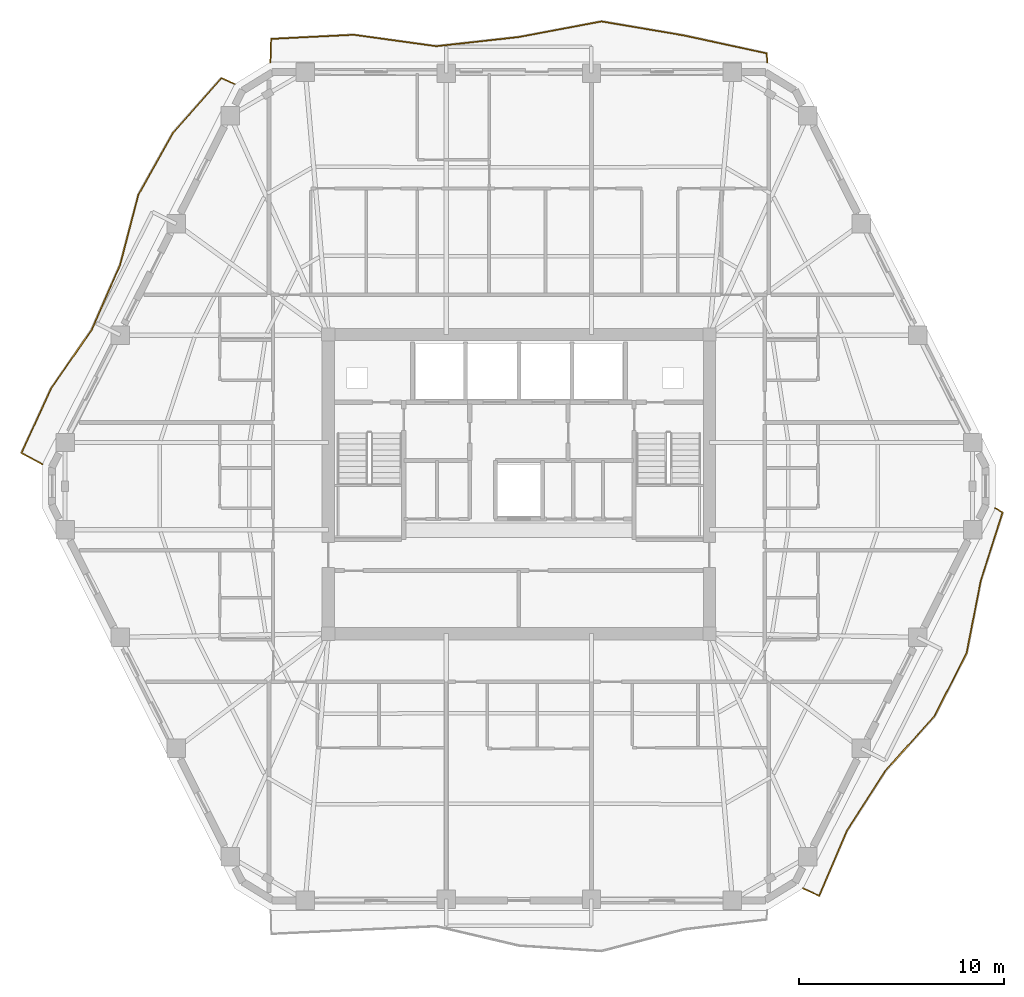
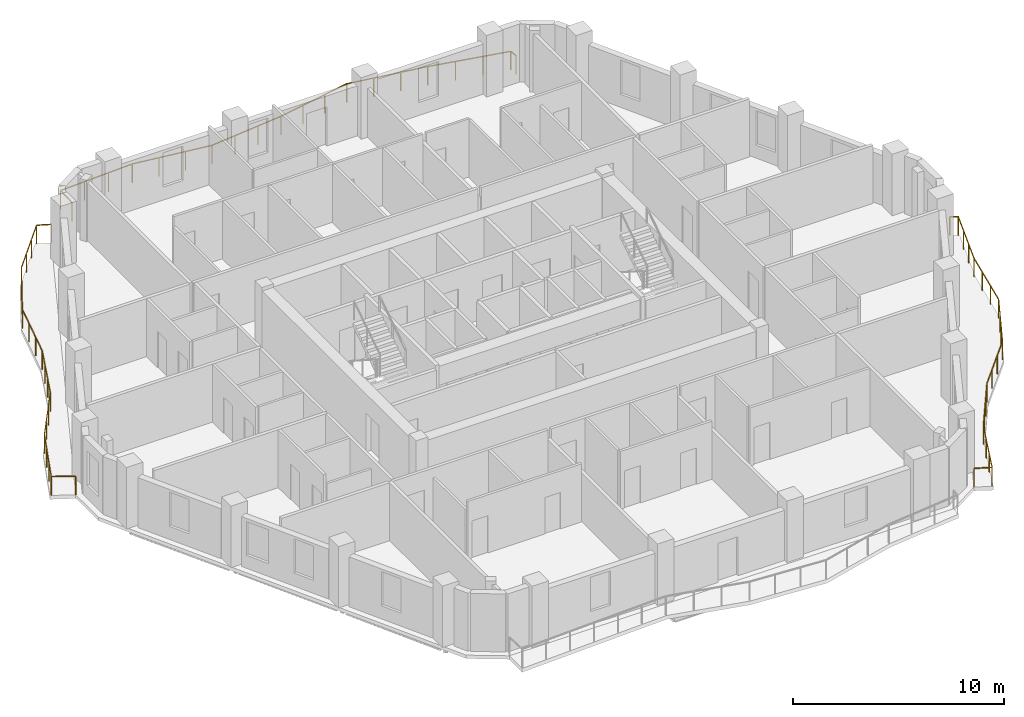
# One storey, part 10 of 10: 3 railings.
"""IFC4 building model written with IfcOpenShell, lengths in metres."""

import ifcopenshell
import ifcopenshell.guid

model = None  # the IFC model being written
_history = None  # IfcOwnerHistory: only IFC2X3 demands one
_inside = {}  # id of a spatial element -> (the spatial element, [elements in it])
_under = {}  # id of a project, library or spatial element -> (it, [spatial elements below it])
_declared = {}  # id of a project -> (the project, [libraries it declares])
_typed = {}  # id of a type object -> (the type object, [elements of that type])
_made_of = {}  # id of a material, layer set ... -> (it, [elements and type objects made of it])


def new_model(schema):
    """Start an empty IFC model of exactly this schema.

    Asked for "IFC4X3", IfcOpenShell would pick the latest addendum, in which some entities
    have other attributes; the version numbers below select the first issue.
    IFC2X3 requires an IfcOwnerHistory on every rooted entity: one is made here for all.
    """
    global model, _history
    if schema == "IFC4X3":
        model = ifcopenshell.file(schema_version=(4, 3, 0, 0))
    else:
        model = ifcopenshell.file(schema=schema)
    _inside.clear()
    _under.clear()
    _declared.clear()
    _typed.clear()
    _made_of.clear()
    _history = None
    if model.schema == "IFC2X3":
        org = make("IfcOrganization", Name="unknown")
        user = make(
            "IfcPersonAndOrganization",
            ThePerson=make("IfcPerson", FamilyName="unknown"),
            TheOrganization=org,
        )
        app = make(
            "IfcApplication",
            ApplicationDeveloper=org,
            Version="unknown",
            ApplicationFullName="unknown",
            ApplicationIdentifier="unknown",
        )
        _history = make(
            "IfcOwnerHistory",
            OwningUser=user,
            OwningApplication=app,
            ChangeAction="ADDED",
            CreationDate=0,
        )
    return model


def make(cls, **values):
    """One entity of the class cls with the attributes given. An attribute that is None is left unset."""
    return model.create_entity(
        cls, **{name: value for name, value in values.items() if value is not None}
    )


def rooted(cls, **values):
    """An entity with a GlobalId (a new one), such as an element, a storey or a relation."""
    return make(cls, GlobalId=ifcopenshell.guid.new(), OwnerHistory=_history, **values)


def si_unit(unit_type, name, prefix=None):
    """IfcSIUnit, for example si_unit("LENGTHUNIT", "METRE", prefix="MILLI")."""
    return make("IfcSIUnit", UnitType=unit_type, Prefix=prefix, Name=name)


def assignment(units):
    """IfcUnitAssignment: the units of a project."""
    return None if units is None else make("IfcUnitAssignment", Units=units)


def point(xyz):
    """IfcCartesianPoint."""
    return None if xyz is None else make("IfcCartesianPoint", Coordinates=xyz)


def direction(xyz):
    """IfcDirection."""
    return None if xyz is None else make("IfcDirection", DirectionRatios=xyz)


def frame(location, z_axis=None, x_axis=None):
    """IfcAxis2Placement3D, a coordinate frame: its origin and axes. An axis left out is left unset."""
    return make(
        "IfcAxis2Placement3D",
        Location=point(location),
        Axis=direction(z_axis),
        RefDirection=direction(x_axis),
    )


def frame_2d(location, x_axis=None):
    """IfcAxis2Placement2D, a coordinate frame in the plane: its origin and x axis."""
    return make(
        "IfcAxis2Placement2D", Location=point(location), RefDirection=direction(x_axis)
    )


def origin():
    """The frame at (0, 0, 0) with its axes left unset."""
    return frame((0.0, 0.0, 0.0))


def origin_2d():
    """The frame at (0, 0) in the plane with its x axis left unset."""
    return frame_2d((0.0, 0.0))


def place(relative_to, where):
    """IfcLocalPlacement: puts the frame where relative to a parent placement (None: the world)."""
    return make(
        "IfcLocalPlacement", PlacementRelTo=relative_to, RelativePlacement=where
    )


def context(
    kind, dimensions, precision=None, world=None, true_north=None, identifier=None
):
    """IfcGeometricRepresentationContext, for example the 3D "Model" context."""
    return make(
        "IfcGeometricRepresentationContext",
        ContextIdentifier=identifier,
        ContextType=kind,
        CoordinateSpaceDimension=dimensions,
        Precision=precision,
        WorldCoordinateSystem=world,
        TrueNorth=true_north,
    )


def subcontext(parent, identifier, kind, view, scale=None):
    """IfcGeometricRepresentationSubContext, for example "Body" below "Model"."""
    return make(
        "IfcGeometricRepresentationSubContext",
        ContextIdentifier=identifier,
        ContextType=kind,
        ParentContext=parent,
        TargetScale=scale,
        TargetView=view,
    )


def project(units=None, contexts=None):
    """IfcProject with its units and contexts."""
    return rooted(
        "IfcProject",
        Name="project",
        RepresentationContexts=contexts,
        UnitsInContext=assignment(units),
    )


def spatial(cls, under=None, at=None, **own):
    """A site, building, storey or space (cls), placed at a placement, below another one or the project."""
    s = rooted(cls, ObjectPlacement=at, **own)
    if under is not None:
        _under.setdefault(under.id(), (under, []))[1].append(s)
    return s


def profile(cls, at=None, kind="AREA", **sizes):
    """A parametric profile (cls). Its sizes go by their IFC names, for example OverallWidth=200.0."""
    return make(cls, ProfileType=kind, Position=at, **sizes)


def rectangle(**sizes):
    """IfcRectangleProfileDef."""
    return profile("IfcRectangleProfileDef", **sizes)


def extrude(swept, where, along, depth):
    """IfcExtrudedAreaSolid: the profile swept, set in the frame where, extruded along a direction by depth."""
    return make(
        "IfcExtrudedAreaSolid",
        SweptArea=swept,
        Position=where,
        ExtrudedDirection=direction(along),
        Depth=depth,
    )


def shape(context_of_items, identifier, shape_type, items):
    """IfcShapeRepresentation: the items that make up one representation, for example the "Body"."""
    return make(
        "IfcShapeRepresentation",
        ContextOfItems=context_of_items,
        RepresentationIdentifier=identifier,
        RepresentationType=shape_type,
        Items=items,
    )


def material(Name=None, Category=None):
    """IfcMaterial."""
    return make("IfcMaterial", Name=Name, Category=Category)


def made_of(thing, what):
    """Note that an element or type object is made of a material, layer set ...; save() writes the relation."""
    if what is not None:
        _made_of.setdefault(what.id(), (what, []))[1].append(thing)
    return thing


def type_object(cls, material=None, **own):
    """A type object (cls), such as IfcWallType, which elements share."""
    return made_of(rooted(cls, **own), material)


def element(
    cls,
    number,
    at=None,
    inside=None,
    cuts=None,
    type_object=None,
    material=None,
    context=None,
    identifier="Body",
    shape_type=None,
    held_by="IfcProductDefinitionShape",
    body=None,
    shapes=None,
    **own,
):
    """One element of the class cls, such as IfcWall. Its Tag is "e" and its number.

    at: its placement. inside: the storey or other place that contains it. cuts: it is an
    opening in that element (IfcRelVoidsElement). A single representation is given by context,
    identifier, shape_type and body (its items); several are given by shapes. held_by: the class
    of the entity that holds the representations. save() writes the other relations.
    """
    e = rooted(cls, Tag="e%d" % number, ObjectPlacement=at, **own)
    if body is not None:
        shapes = [shape(context, identifier, shape_type, body)]
    if shapes is not None:
        e.Representation = make(held_by, Representations=shapes)
    if inside is not None:
        _inside.setdefault(inside.id(), (inside, []))[1].append(e)
    if cuts is not None:
        rooted(
            "IfcRelVoidsElement", RelatingBuildingElement=cuts, RelatedOpeningElement=e
        )
    if type_object is not None:
        _typed.setdefault(type_object.id(), (type_object, []))[1].append(e)
    return made_of(e, material)


def aggregate(whole, parts):
    """IfcRelAggregates: a whole, such as a stair, and the parts it consists of."""
    return rooted("IfcRelAggregates", RelatingObject=whole, RelatedObjects=parts)


def save(model, path):
    """Write the relations noted so far, then the file.

    IfcRelAggregates (storeys below a building ...), IfcRelContainedInSpatialStructure (elements
    in a storey), IfcRelDefinesByType, IfcRelAssociatesMaterial and IfcRelDeclares: one each for
    every whole, place, type object, material and project.
    """
    for whole, parts in _under.values():
        aggregate(whole, parts)
    for where, things in _inside.values():
        rooted(
            "IfcRelContainedInSpatialStructure",
            RelatedElements=things,
            RelatingStructure=where,
        )
    for kind, things in _typed.values():
        rooted("IfcRelDefinesByType", RelatedObjects=things, RelatingType=kind)
    for what, things in _made_of.values():
        rooted("IfcRelAssociatesMaterial", RelatedObjects=things, RelatingMaterial=what)
    for by, libraries in _declared.values():
        rooted("IfcRelDeclares", RelatingContext=by, RelatedDefinitions=libraries)
    model.write(path)


model = new_model("IFC4")

# Units and contexts
model_context = context("Model", 3, precision=1e-05, world=origin(), true_north=direction((0.0, 1.0)))
body_context = subcontext(model_context, "Body", "Model", "MODEL_VIEW")
ifc_project = project(units=[si_unit("LENGTHUNIT", "METRE"), si_unit("AREAUNIT", "SQUARE_METRE"), si_unit("VOLUMEUNIT", "CUBIC_METRE"), si_unit("PLANEANGLEUNIT", "RADIAN"), si_unit("MASSUNIT", "GRAM", prefix="KILO")], contexts=[model_context])

# Site, building, storey
site_placement = place(None, origin())
site = spatial("IfcSite", under=ifc_project, at=site_placement, CompositionType="ELEMENT")
building_placement = place(site_placement, origin())
building = spatial("IfcBuilding", under=site, at=building_placement, Name="Cinnabar Lancet Tower", CompositionType="ELEMENT")
storey_placement = place(building_placement, frame((0.0, 0.0, 203.85009765625)))
storey = spatial("IfcBuildingStorey", under=building, at=storey_placement, Name="L54", CompositionType="ELEMENT", Elevation=203.85009765625)

# Railings
ifc_material = material(Name="Laminated safety glass and bronze stainless steel balustrade", Category="steel")
railing_type = type_object("IfcRailingType", Name="ENV-RLG-BAL-1100", PredefinedType="BALUSTRADE", material=ifc_material)
railing_1_placement = place(storey_placement, frame((46.27001953125, 6.1708984375, 0.0)))
element("IfcRailing", 1, at=railing_1_placement, inside=storey, type_object=railing_type, Name="L54 Face 2 Wave Balcony Balustrade", PredefinedType="BALUSTRADE", context=body_context, shape_type="SweptSolid", body=[
    extrude(rectangle(XDim=0.048095703125, YDim=0.048095703125, at=origin_2d()), frame((0.0, 0.0, 1.076171875), z_axis=(0.9079593845, -0.419058177462, 0.0), x_axis=(0.419058177462, 0.9079593845, 0.0)), (0.0, 0.0, 1.0), 0.863525390625),
    extrude(rectangle(XDim=0.048095703125, YDim=0.048095703125, at=origin_2d()), frame((0.783935546875, -0.36181640625, 1.076171875), z_axis=(0.392890631495, 0.91958520632, 0.0), x_axis=(-0.91958520632, 0.392890631495, 0.0)), (0.0, 0.0, 1.0), 3.466796875),
    extrude(rectangle(XDim=0.048095703125, YDim=0.048095703125, at=origin_2d()), frame((2.14599609375, 2.826171875, 1.076171875), z_axis=(0.540871251462, 0.841105397285, 0.0), x_axis=(-0.841105397285, 0.540871251462, 0.0)), (0.0, 0.0, 1.0), 3.473876953125),
    extrude(rectangle(XDim=0.048095703125, YDim=0.048095703125, at=origin_2d()), frame((4.02490234375, 5.748046875, 1.076171875), z_axis=(0.668376586671, 0.743823055834, 0.0), x_axis=(-0.743823055834, 0.668376586671, 0.0)), (0.0, 0.0, 1.0), 3.578857421875),
    extrude(rectangle(XDim=0.048095703125, YDim=0.048095703125, at=origin_2d()), frame((6.4169921875, 8.41015625, 1.076171875), z_axis=(0.453223837401, 0.891396742877, 0.0), x_axis=(-0.891396742877, 0.453223837401, 0.0)), (0.0, 0.0, 1.0), 3.455078125),
    extrude(rectangle(XDim=0.048095703125, YDim=0.048095703125, at=origin_2d()), frame((7.98291015625, 11.489990234375, 1.076171875), z_axis=(0.191813784679, 0.981431338407, 0.0), x_axis=(-0.981431338407, 0.191813784679, 0.0)), (0.0, 0.0, 1.0), 3.591796875),
    extrude(rectangle(XDim=0.048095703125, YDim=0.048095703125, at=origin_2d()), frame((8.671875, 15.01513671875, 1.076171875), z_axis=(0.30425696552, 0.952589995188, 0.0), x_axis=(-0.952589995188, 0.30425696552, 0.0)), (0.0, 0.0, 1.0), 3.5009765625),
    extrude(rectangle(XDim=0.048095703125, YDim=0.048095703125, at=origin_2d()), frame((9.737060546875, 18.35009765625, 1.076171875), z_axis=(-0.859079062454, 0.511842909938, 0.0), x_axis=(-0.511842909938, -0.859079062454, 0.0)), (0.0, 0.0, 1.0), 0.406494140625),
    extrude(rectangle(XDim=0.0419921875, YDim=0.0419921875, at=origin_2d()), origin(), (0.0, 0.0, 1.0), 1.052001953125),
    extrude(rectangle(XDim=0.0419921875, YDim=0.0419921875, at=origin_2d()), frame((0.783935546875, -0.36181640625, 0.0)), (0.0, 0.0, 1.0), 1.052001953125),
    extrude(rectangle(XDim=0.0419921875, YDim=0.0419921875, at=origin_2d()), frame((1.238037109375, 0.700927734375, 0.0)), (0.0, 0.0, 1.0), 1.052001953125),
    extrude(rectangle(XDim=0.0419921875, YDim=0.0419921875, at=origin_2d()), frame((1.69189453125, 1.763427734375, 0.0)), (0.0, 0.0, 1.0), 1.052001953125),
    extrude(rectangle(XDim=0.0419921875, YDim=0.0419921875, at=origin_2d()), frame((2.14599609375, 2.826171875, 0.0)), (0.0, 0.0, 1.0), 1.052001953125),
    extrude(rectangle(XDim=0.0419921875, YDim=0.0419921875, at=origin_2d()), frame((2.772216796875, 3.800048828125, 0.0)), (0.0, 0.0, 1.0), 1.052001953125),
    extrude(rectangle(XDim=0.0419921875, YDim=0.0419921875, at=origin_2d()), frame((3.398681640625, 4.774169921875, 0.0)), (0.0, 0.0, 1.0), 1.052001953125),
    extrude(rectangle(XDim=0.0419921875, YDim=0.0419921875, at=origin_2d()), frame((4.02490234375, 5.748046875, 0.0)), (0.0, 0.0, 1.0), 1.052001953125),
    extrude(rectangle(XDim=0.0419921875, YDim=0.0419921875, at=origin_2d()), frame((4.822265625, 6.635498046875, 0.0)), (0.0, 0.0, 1.0), 1.052001953125),
    extrude(rectangle(XDim=0.0419921875, YDim=0.0419921875, at=origin_2d()), frame((5.61962890625, 7.522705078125, 0.0)), (0.0, 0.0, 1.0), 1.052001953125),
    extrude(rectangle(XDim=0.0419921875, YDim=0.0419921875, at=origin_2d()), frame((6.4169921875, 8.41015625, 0.0)), (0.0, 0.0, 1.0), 1.052001953125),
    extrude(rectangle(XDim=0.0419921875, YDim=0.0419921875, at=origin_2d()), frame((6.93896484375, 9.436767578125, 0.0)), (0.0, 0.0, 1.0), 1.052001953125),
    extrude(rectangle(XDim=0.0419921875, YDim=0.0419921875, at=origin_2d()), frame((7.4609375, 10.46337890625, 0.0)), (0.0, 0.0, 1.0), 1.052001953125),
    extrude(rectangle(XDim=0.0419921875, YDim=0.0419921875, at=origin_2d()), frame((7.98291015625, 11.489990234375, 0.0)), (0.0, 0.0, 1.0), 1.052001953125),
    extrude(rectangle(XDim=0.0419921875, YDim=0.0419921875, at=origin_2d()), frame((8.212646484375, 12.6650390625, 0.0)), (0.0, 0.0, 1.0), 1.052001953125),
    extrude(rectangle(XDim=0.0419921875, YDim=0.0419921875, at=origin_2d()), frame((8.442138671875, 13.840087890625, 0.0)), (0.0, 0.0, 1.0), 1.052001953125),
    extrude(rectangle(XDim=0.0419921875, YDim=0.0419921875, at=origin_2d()), frame((8.671875, 15.01513671875, 0.0)), (0.0, 0.0, 1.0), 1.052001953125),
    extrude(rectangle(XDim=0.0419921875, YDim=0.0419921875, at=origin_2d()), frame((9.02685546875, 16.126708984375, 0.0)), (0.0, 0.0, 1.0), 1.052001953125),
    extrude(rectangle(XDim=0.0419921875, YDim=0.0419921875, at=origin_2d()), frame((9.382080078125, 17.238525390625, 0.0)), (0.0, 0.0, 1.0), 1.052001953125),
    extrude(rectangle(XDim=0.0419921875, YDim=0.0419921875, at=origin_2d()), frame((9.737060546875, 18.35009765625, 0.0)), (0.0, 0.0, 1.0), 1.052001953125),
    extrude(rectangle(XDim=0.0419921875, YDim=0.0419921875, at=origin_2d()), frame((9.387939453125, 18.55810546875, 0.0)), (0.0, 0.0, 1.0), 1.052001953125),
])
railing_2_placement = place(storey_placement, frame((44.528076171875, 46.5, 0.0)))
element("IfcRailing", 2, at=railing_2_placement, inside=storey, type_object=railing_type, Name="L54 Face 4 Wave Balcony Balustrade", PredefinedType="BALUSTRADE", context=body_context, shape_type="SweptSolid", body=[
    extrude(rectangle(XDim=0.048095703125, YDim=0.048095703125, at=origin_2d()), frame((0.0, 0.0, 1.076171875), z_axis=(-0.082429610583, 0.996596889068, 0.0), x_axis=(-0.996596889068, -0.082429610583, 0.0)), (0.0, 0.0, 1.0), 0.426513671875),
    extrude(rectangle(XDim=0.048095703125, YDim=0.048095703125, at=origin_2d()), frame((-0.03515625, 0.425048828125, 1.076171875), z_axis=(-0.977252671087, 0.212078327168, 0.0), x_axis=(-0.212078327168, -0.977252671087, 0.0)), (0.0, 0.0, 1.0), 4.125732421875),
    extrude(rectangle(XDim=0.048095703125, YDim=0.048095703125, at=origin_2d()), frame((-4.067138671875, 1.300048828125, 1.076171875), z_axis=(-0.985857721497, 0.167584465167, 0.0), x_axis=(-0.167584465167, -0.985857721497, 0.0)), (0.0, 0.0, 1.0), 4.087890625),
    extrude(rectangle(XDim=0.048095703125, YDim=0.048095703125, at=origin_2d()), frame((-8.09716796875, 1.985107421875, 1.076171875), z_axis=(-0.982588748881, -0.185793838896, 0.0), x_axis=(0.185793838896, -0.982588748881, 0.0)), (0.0, 0.0, 1.0), 4.1025390625),
    extrude(rectangle(XDim=0.048095703125, YDim=0.048095703125, at=origin_2d()), frame((-12.128173828125, 1.222900390625, 1.076171875), z_axis=(-0.993903545441, -0.110253083224, 0.0), x_axis=(0.110253083224, -0.993903545441, 0.0)), (0.0, 0.0, 1.0), 4.054443359375),
    extrude(rectangle(XDim=0.048095703125, YDim=0.048095703125, at=origin_2d()), frame((-16.157958984375, 0.77587890625, 1.076171875), z_axis=(-0.99058356853, 0.136909436339, 0.0), x_axis=(-0.136909436339, -0.99058356853, 0.0)), (0.0, 0.0, 1.0), 4.0693359375),
    extrude(rectangle(XDim=0.048095703125, YDim=0.048095703125, at=origin_2d()), frame((-20.18896484375, 1.3330078125, 1.076171875), z_axis=(-0.998761368533, -0.049756695297, 0.0), x_axis=(0.049756695297, -0.998761368533, 0.0)), (0.0, 0.0, 1.0), 4.0380859375),
    extrude(rectangle(XDim=0.048095703125, YDim=0.048095703125, at=origin_2d()), frame((-24.22216796875, 1.132080078125, 1.076171875), z_axis=(-0.029962818835, -0.999551013949, 0.0), x_axis=(0.999551013949, -0.029962818835, 0.0)), (0.0, 0.0, 1.0), 1.132568359375),
    extrude(rectangle(XDim=0.0419921875, YDim=0.0419921875, at=origin_2d()), origin(), (0.0, 0.0, 1.0), 1.052001953125),
    extrude(rectangle(XDim=0.0419921875, YDim=0.0419921875, at=origin_2d()), frame((-0.03515625, 0.425048828125, 0.0)), (0.0, 0.0, 1.0), 1.052001953125),
    extrude(rectangle(XDim=0.0419921875, YDim=0.0419921875, at=origin_2d()), frame((-1.379150390625, 0.716796875, 0.0)), (0.0, 0.0, 1.0), 1.052001953125),
    extrude(rectangle(XDim=0.0419921875, YDim=0.0419921875, at=origin_2d()), frame((-2.72314453125, 1.00830078125, 0.0)), (0.0, 0.0, 1.0), 1.052001953125),
    extrude(rectangle(XDim=0.0419921875, YDim=0.0419921875, at=origin_2d()), frame((-4.067138671875, 1.300048828125, 0.0)), (0.0, 0.0, 1.0), 1.052001953125),
    extrude(rectangle(XDim=0.0419921875, YDim=0.0419921875, at=origin_2d()), frame((-5.410400390625, 1.5283203125, 0.0)), (0.0, 0.0, 1.0), 1.052001953125),
    extrude(rectangle(XDim=0.0419921875, YDim=0.0419921875, at=origin_2d()), frame((-6.75390625, 1.7568359375, 0.0)), (0.0, 0.0, 1.0), 1.052001953125),
    extrude(rectangle(XDim=0.0419921875, YDim=0.0419921875, at=origin_2d()), frame((-8.09716796875, 1.985107421875, 0.0)), (0.0, 0.0, 1.0), 1.052001953125),
    extrude(rectangle(XDim=0.0419921875, YDim=0.0419921875, at=origin_2d()), frame((-9.44091796875, 1.73095703125, 0.0)), (0.0, 0.0, 1.0), 1.052001953125),
    extrude(rectangle(XDim=0.0419921875, YDim=0.0419921875, at=origin_2d()), frame((-10.784423828125, 1.47705078125, 0.0)), (0.0, 0.0, 1.0), 1.052001953125),
    extrude(rectangle(XDim=0.0419921875, YDim=0.0419921875, at=origin_2d()), frame((-12.128173828125, 1.222900390625, 0.0)), (0.0, 0.0, 1.0), 1.052001953125),
    extrude(rectangle(XDim=0.0419921875, YDim=0.0419921875, at=origin_2d()), frame((-13.471435546875, 1.073974609375, 0.0)), (0.0, 0.0, 1.0), 1.052001953125),
    extrude(rectangle(XDim=0.0419921875, YDim=0.0419921875, at=origin_2d()), frame((-14.814697265625, 0.9248046875, 0.0)), (0.0, 0.0, 1.0), 1.052001953125),
    extrude(rectangle(XDim=0.0419921875, YDim=0.0419921875, at=origin_2d()), frame((-16.157958984375, 0.77587890625, 0.0)), (0.0, 0.0, 1.0), 1.052001953125),
    extrude(rectangle(XDim=0.0419921875, YDim=0.0419921875, at=origin_2d()), frame((-17.501708984375, 0.961669921875, 0.0)), (0.0, 0.0, 1.0), 1.052001953125),
    extrude(rectangle(XDim=0.0419921875, YDim=0.0419921875, at=origin_2d()), frame((-18.84521484375, 1.147216796875, 0.0)), (0.0, 0.0, 1.0), 1.052001953125),
    extrude(rectangle(XDim=0.0419921875, YDim=0.0419921875, at=origin_2d()), frame((-20.18896484375, 1.3330078125, 0.0)), (0.0, 0.0, 1.0), 1.052001953125),
    extrude(rectangle(XDim=0.0419921875, YDim=0.0419921875, at=origin_2d()), frame((-21.533447265625, 1.26611328125, 0.0)), (0.0, 0.0, 1.0), 1.052001953125),
    extrude(rectangle(XDim=0.0419921875, YDim=0.0419921875, at=origin_2d()), frame((-22.877685546875, 1.198974609375, 0.0)), (0.0, 0.0, 1.0), 1.052001953125),
    extrude(rectangle(XDim=0.0419921875, YDim=0.0419921875, at=origin_2d()), frame((-24.22216796875, 1.132080078125, 0.0)), (0.0, 0.0, 1.0), 1.052001953125),
    extrude(rectangle(XDim=0.0419921875, YDim=0.0419921875, at=origin_2d()), frame((-24.256103515625, 0.0, 0.0)), (0.0, 0.0, 1.0), 1.052001953125),
])
railing_3_placement = place(storey_placement, frame((18.530029296875, 45.428955078125, 0.0)))
element("IfcRailing", 3, at=railing_3_placement, inside=storey, type_object=railing_type, Name="L54 Face 5 Wave Balcony Balustrade", PredefinedType="BALUSTRADE", context=body_context, shape_type="SweptSolid", body=[
    extrude(rectangle(XDim=0.048095703125, YDim=0.048095703125, at=origin_2d()), frame((0.0, 0.0, 1.076171875), z_axis=(-0.912322270905, 0.409472922195, 0.0), x_axis=(-0.409472922195, -0.912322270905, 0.0)), (0.0, 0.0, 1.0), 0.7060546875),
    extrude(rectangle(XDim=0.048095703125, YDim=0.048095703125, at=origin_2d()), frame((-0.64404296875, 0.2890625, 1.076171875), z_axis=(-0.663447486277, -0.748222849793, 0.0), x_axis=(0.748222849793, -0.663447486277, 0.0)), (0.0, 0.0, 1.0), 3.573974609375),
    extrude(rectangle(XDim=0.048095703125, YDim=0.048095703125, at=origin_2d()), frame((-3.01513671875, -2.385009765625, 1.076171875), z_axis=(-0.48801434533, -0.872835608092, 0.0), x_axis=(0.872835608092, -0.48801434533, 0.0)), (0.0, 0.0, 1.0), 3.458984375),
    extrude(rectangle(XDim=0.048095703125, YDim=0.048095703125, at=origin_2d()), frame((-4.703125, -5.404052734375, 1.076171875), z_axis=(-0.252205482011, -0.967673702672, 0.0), x_axis=(0.967673702672, -0.252205482011, 0.0)), (0.0, 0.0, 1.0), 3.5361328125),
    extrude(rectangle(XDim=0.048095703125, YDim=0.048095703125, at=origin_2d()), frame((-5.594970703125, -8.825927734375, 1.076171875), z_axis=(-0.401085293561, -0.916040712681, 0.0), x_axis=(0.916040712681, -0.401085293561, 0.0)), (0.0, 0.0, 1.0), 3.46044921875),
    extrude(rectangle(XDim=0.048095703125, YDim=0.048095703125, at=origin_2d()), frame((-6.98291015625, -11.995849609375, 1.076171875), z_axis=(-0.568274222275, -0.822839235998, 0.0), x_axis=(0.822839235998, -0.568274222275, 0.0)), (0.0, 0.0, 1.0), 3.488037109375),
    extrude(rectangle(XDim=0.048095703125, YDim=0.048095703125, at=origin_2d()), frame((-8.965087890625, -14.865966796875, 1.076171875), z_axis=(-0.417223064691, -0.908804112166, 0.0), x_axis=(0.908804112166, -0.417223064691, 0.0)), (0.0, 0.0, 1.0), 3.460693359375),
    extrude(rectangle(XDim=0.048095703125, YDim=0.048095703125, at=origin_2d()), frame((-10.408935546875, -18.010986328125, 1.076171875), z_axis=(0.881511304116, -0.472162917556, 0.0), x_axis=(0.472162917556, 0.881511304116, 0.0)), (0.0, 0.0, 1.0), 1.158203125),
    extrude(rectangle(XDim=0.0419921875, YDim=0.0419921875, at=origin_2d()), origin(), (0.0, 0.0, 1.0), 1.052001953125),
    extrude(rectangle(XDim=0.0419921875, YDim=0.0419921875, at=origin_2d()), frame((-0.64404296875, 0.2890625, 0.0)), (0.0, 0.0, 1.0), 1.052001953125),
    extrude(rectangle(XDim=0.0419921875, YDim=0.0419921875, at=origin_2d()), frame((-1.434326171875, -0.602294921875, 0.0)), (0.0, 0.0, 1.0), 1.052001953125),
    extrude(rectangle(XDim=0.0419921875, YDim=0.0419921875, at=origin_2d()), frame((-2.224853515625, -1.49365234375, 0.0)), (0.0, 0.0, 1.0), 1.052001953125),
    extrude(rectangle(XDim=0.0419921875, YDim=0.0419921875, at=origin_2d()), frame((-3.01513671875, -2.385009765625, 0.0)), (0.0, 0.0, 1.0), 1.052001953125),
    extrude(rectangle(XDim=0.0419921875, YDim=0.0419921875, at=origin_2d()), frame((-3.577880859375, -3.391357421875, 0.0)), (0.0, 0.0, 1.0), 1.052001953125),
    extrude(rectangle(XDim=0.0419921875, YDim=0.0419921875, at=origin_2d()), frame((-4.140380859375, -4.397705078125, 0.0)), (0.0, 0.0, 1.0), 1.052001953125),
    extrude(rectangle(XDim=0.0419921875, YDim=0.0419921875, at=origin_2d()), frame((-4.703125, -5.404052734375, 0.0)), (0.0, 0.0, 1.0), 1.052001953125),
    extrude(rectangle(XDim=0.0419921875, YDim=0.0419921875, at=origin_2d()), frame((-5.00048828125, -6.544677734375, 0.0)), (0.0, 0.0, 1.0), 1.052001953125),
    extrude(rectangle(XDim=0.0419921875, YDim=0.0419921875, at=origin_2d()), frame((-5.297607421875, -7.685302734375, 0.0)), (0.0, 0.0, 1.0), 1.052001953125),
    extrude(rectangle(XDim=0.0419921875, YDim=0.0419921875, at=origin_2d()), frame((-5.594970703125, -8.825927734375, 0.0)), (0.0, 0.0, 1.0), 1.052001953125),
    extrude(rectangle(XDim=0.0419921875, YDim=0.0419921875, at=origin_2d()), frame((-6.0576171875, -9.882568359375, 0.0)), (0.0, 0.0, 1.0), 1.052001953125),
    extrude(rectangle(XDim=0.0419921875, YDim=0.0419921875, at=origin_2d()), frame((-6.520263671875, -10.939208984375, 0.0)), (0.0, 0.0, 1.0), 1.052001953125),
    extrude(rectangle(XDim=0.0419921875, YDim=0.0419921875, at=origin_2d()), frame((-6.98291015625, -11.995849609375, 0.0)), (0.0, 0.0, 1.0), 1.052001953125),
    extrude(rectangle(XDim=0.0419921875, YDim=0.0419921875, at=origin_2d()), frame((-7.6435546875, -12.95263671875, 0.0)), (0.0, 0.0, 1.0), 1.052001953125),
    extrude(rectangle(XDim=0.0419921875, YDim=0.0419921875, at=origin_2d()), frame((-8.304443359375, -13.9091796875, 0.0)), (0.0, 0.0, 1.0), 1.052001953125),
    extrude(rectangle(XDim=0.0419921875, YDim=0.0419921875, at=origin_2d()), frame((-8.965087890625, -14.865966796875, 0.0)), (0.0, 0.0, 1.0), 1.052001953125),
    extrude(rectangle(XDim=0.0419921875, YDim=0.0419921875, at=origin_2d()), frame((-9.4462890625, -15.914306640625, 0.0)), (0.0, 0.0, 1.0), 1.052001953125),
    extrude(rectangle(XDim=0.0419921875, YDim=0.0419921875, at=origin_2d()), frame((-9.927734375, -16.962646484375, 0.0)), (0.0, 0.0, 1.0), 1.052001953125),
    extrude(rectangle(XDim=0.0419921875, YDim=0.0419921875, at=origin_2d()), frame((-10.408935546875, -18.010986328125, 0.0)), (0.0, 0.0, 1.0), 1.052001953125),
    extrude(rectangle(XDim=0.0419921875, YDim=0.0419921875, at=origin_2d()), frame((-9.387939453125, -18.557861328125, 0.0)), (0.0, 0.0, 1.0), 1.052001953125),
])

save(model, "model.ifc")
